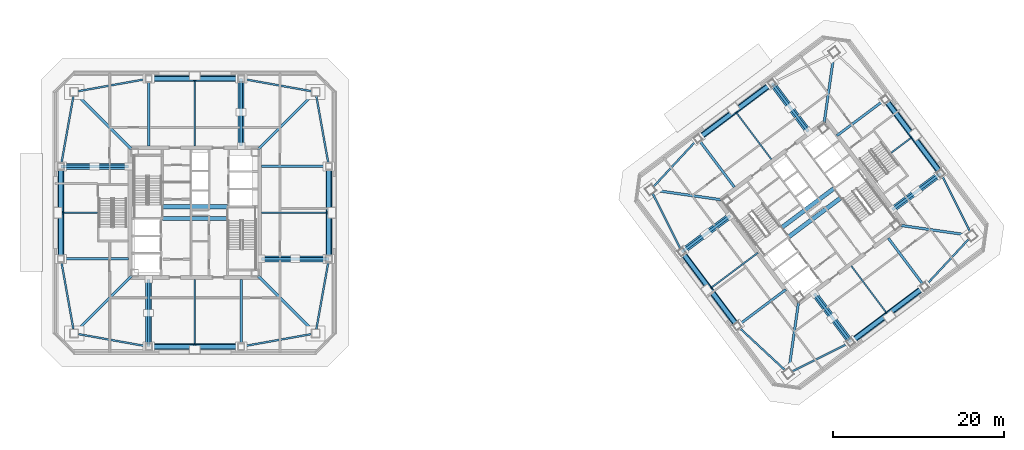
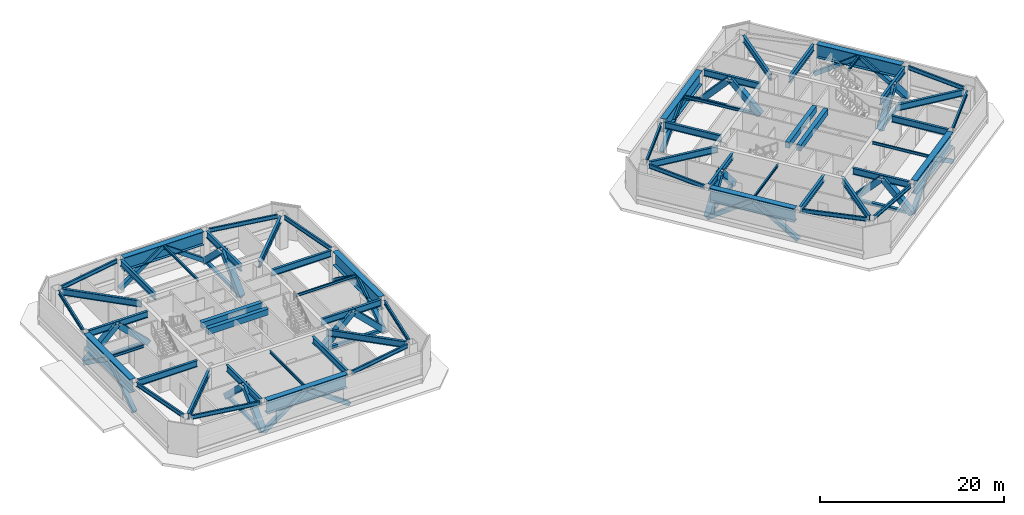
# One storey, part 3 of 15: 58 beams, 40 members.
"""IFC4 building model written with IfcOpenShell, lengths in metres."""

from ifc_helpers import new_model, si_unit, direction, frame, origin, origin_2d, place, context, subcontext, project, spatial, rectangle, hollow_rectangle, i_section, extrude, material, material_profile, profile_set, type_object, element, save


model = new_model("IFC4")

# Units and contexts
model_context = context("Model", 3, precision=1e-05, world=origin(), true_north=direction((0.0, 1.0)))
body_context = subcontext(model_context, "Body", "Model", "MODEL_VIEW")
ifc_project = project(units=[si_unit("LENGTHUNIT", "METRE"), si_unit("AREAUNIT", "SQUARE_METRE"), si_unit("VOLUMEUNIT", "CUBIC_METRE"), si_unit("PLANEANGLEUNIT", "RADIAN"), si_unit("MASSUNIT", "GRAM", prefix="KILO")], contexts=[model_context])

# Site, building, storey
site_placement = place(None, origin())
site = spatial("IfcSite", under=ifc_project, at=site_placement, CompositionType="ELEMENT")
building_placement = place(site_placement, origin())
building = spatial("IfcBuilding", under=site, at=building_placement, Name="Tashvorn Skyway Center", CompositionType="ELEMENT")
storey_placement = place(building_placement, frame((0.0, 0.0, 199.60009765625)))
storey = spatial("IfcBuildingStorey", under=building, at=storey_placement, Name="L54", CompositionType="ELEMENT", Elevation=199.60009765625)

# Beams
ifc_material_1 = material(Name="Steel ASTM A572 Grade 50", Category="steel")
ifc_material_profile_1 = material_profile(ifc_material_1, i_section(OverallWidth=0.699951171875, OverallDepth=1.800048828125, WebThickness=0.031982421875, FlangeThickness=0.050048828125, at=origin_2d()), Name="PG1800x700")
ifc_profile_set_1 = profile_set([ifc_material_profile_1], Name="Steel ASTM A572 Grade 50")
beam_type_1 = type_object("IfcBeamType", Name="BM-BEAM-PG1800x700", PredefinedType="BEAM", material=ifc_profile_set_1)
for number, where, z_axis, x_axis, name in (
    (1, (36.969970703125, 16.35009765625, 3.52001953125), (1.0, 0.0, 0.0), (0.0, 1.0, 0.0), "Tower 1 L54 Spandrel Beam 02"),
    (2, (57.64990234375, 26.969970703125, 3.52001953125), (0.0, 1.0, 0.0), (-1.0, 0.0, 0.0), "Tower 1 L54 Spandrel Beam 05"),
    (3, (47.030029296875, 47.64990234375, 3.52001953125), (-1.0, 0.0, 0.0), (0.0, -1.0, 0.0), "Tower 1 L54 Spandrel Beam 08"),
    (4, (26.35009765625, 37.030029296875, 3.52001953125), (0.0, -1.0, 0.0), (1.0, 0.0, 0.0), "Tower 1 L54 Spandrel Beam 11"),
    (5, (118.885986328125, 17.10205078125, 3.52001953125), (0.800008736549, 0.599988351091, 0.0), (-0.599988351091, 0.800008736549, 0.0), "Tower 2 L54 Spandrel Beam 02"),
    (6, (128.89794921875, 36.885986328125, 3.52001953125), (-0.599988351091, 0.800008736549, 0.0), (-0.800008736549, -0.599988351091, 0.0), "Tower 2 L54 Spandrel Beam 05"),
    (7, (109.114013671875, 46.89794921875, 3.52001953125), (-0.800008736549, -0.599988351091, 0.0), (0.599988351091, -0.800008736549, 0.0), "Tower 2 L54 Spandrel Beam 08"),
    (8, (99.10205078125, 27.114013671875, 3.52001953125), (0.599988351091, -0.800008736549, 0.0), (0.800008736549, 0.599988351091, 0.0), "Tower 2 L54 Spandrel Beam 11"),
):
    element("IfcBeam", number, at=place(storey_placement, frame(where, z_axis=z_axis, x_axis=x_axis)), inside=storey, type_object=beam_type_1, Name=name, PredefinedType="BEAM", context=body_context, shape_type="SweptSolid", body=[
        extrude(i_section(OverallWidth=0.699951171875, OverallDepth=1.800048828125, WebThickness=0.031982421875, FlangeThickness=0.050048828125, at=origin_2d()), origin(), (0.0, 0.0, 1.0), 10.06005859375),
    ])
ifc_material_2 = material(Name="Steel ASTM A992 Grade 50", Category="steel")
ifc_material_profile_2 = material_profile(ifc_material_2, i_section(OverallWidth=0.2919921875, OverallDepth=0.85888671875, WebThickness=0.01708984375, FlangeThickness=0.031005859375, at=origin_2d()), Name="W33X169")
ifc_profile_set_2 = profile_set([ifc_material_profile_2], Name="Steel ASTM A992 Grade 50")
beam_type_2 = type_object("IfcBeamType", Name="BM-BEAM-W33X169", PredefinedType="BEAM", material=ifc_profile_set_2)
for number, where, z_axis, x_axis, name in (
    (9, (28.25, 18.25, 3.990478515625), (0.707106781187, 0.707106781187, 0.0), (-0.707106781187, 0.707106781187, 0.0), "Tower 1 L54 Primary Floor Girder MC-SW"),
    (10, (55.75, 18.25, 3.990478515625), (-0.707106781187, 0.707106781187, 0.0), (-0.707106781187, -0.707106781187, 0.0), "Tower 1 L54 Primary Floor Girder MC-SE"),
    (11, (55.75, 45.75, 3.990478515625), (-0.707106781187, -0.707106781187, 0.0), (0.707106781187, -0.707106781187, 0.0), "Tower 1 L54 Primary Floor Girder MC-NE"),
    (12, (28.25, 45.75, 3.990478515625), (0.707106781187, -0.707106781187, 0.0), (0.707106781187, 0.707106781187, 0.0), "Tower 1 L54 Primary Floor Girder MC-NW"),
):
    element("IfcBeam", number, at=place(storey_placement, frame(where, z_axis=z_axis, x_axis=x_axis)), inside=storey, type_object=beam_type_2, Name=name, PredefinedType="BEAM", context=body_context, shape_type="SweptSolid", body=[
        extrude(i_section(OverallWidth=0.2919921875, OverallDepth=0.85888671875, WebThickness=0.01708984375, FlangeThickness=0.031005859375, at=origin_2d()), origin(), (0.0, 0.0, 1.0), 9.030029296875),
    ])
for number, where, z_axis, x_axis, name in (
    (13, (36.60009765625, 16.719970703125, 3.990478515625), (0.0, 1.0, 0.0), (-1.0, 0.0, 0.0), "Tower 1 L54 Primary Floor Girder FC-S1"),
    (14, (47.39990234375, 16.719970703125, 3.990478515625), (0.0, 1.0, 0.0), (-1.0, 0.0, 0.0), "Tower 1 L54 Primary Floor Girder FC-S2"),
    (15, (57.280029296875, 26.60009765625, 3.990478515625), (-1.0, 0.0, 0.0), (0.0, -1.0, 0.0), "Tower 1 L54 Primary Floor Girder FC-E1"),
    (16, (57.280029296875, 37.39990234375, 3.990478515625), (-1.0, 0.0, 0.0), (0.0, -1.0, 0.0), "Tower 1 L54 Primary Floor Girder FC-E2"),
    (17, (47.39990234375, 47.280029296875, 3.990478515625), (0.0, -1.0, 0.0), (1.0, 0.0, 0.0), "Tower 1 L54 Primary Floor Girder FC-N1"),
    (18, (36.60009765625, 47.280029296875, 3.990478515625), (0.0, -1.0, 0.0), (1.0, 0.0, 0.0), "Tower 1 L54 Primary Floor Girder FC-N2"),
    (19, (26.719970703125, 37.39990234375, 3.990478515625), (1.0, 0.0, 0.0), (0.0, 1.0, 0.0), "Tower 1 L54 Primary Floor Girder FC-W1"),
    (20, (26.719970703125, 26.60009765625, 3.990478515625), (1.0, 0.0, 0.0), (0.0, 1.0, 0.0), "Tower 1 L54 Primary Floor Girder FC-W2"),
):
    element("IfcBeam", number, at=place(storey_placement, frame(where, z_axis=z_axis, x_axis=x_axis)), inside=storey, type_object=beam_type_2, Name=name, PredefinedType="BEAM", context=body_context, shape_type="SweptSolid", body=[
        extrude(i_section(OverallWidth=0.2919921875, OverallDepth=0.85888671875, WebThickness=0.01708984375, FlangeThickness=0.031005859375, at=origin_2d()), origin(), (0.0, 0.0, 1.0), 7.5),
    ])
for number, where, z_axis, x_axis, name in (
    (21, (111.389892578125, 13.72998046875, 3.990478515625), (0.141438360399, 0.989947064346, 0.0), (-0.989947064346, 0.141438360399, 0.0), "Tower 2 L54 Primary Floor Girder MC-SW"),
    (22, (132.27001953125, 29.389892578125, 3.990478515625), (-0.989947064346, 0.141438360399, 0.0), (-0.141438360399, -0.989947064346, 0.0), "Tower 2 L54 Primary Floor Girder MC-SE"),
    (23, (116.610107421875, 50.27001953125, 3.990478515625), (-0.141438360399, -0.989947064346, 0.0), (0.989947064346, -0.141438360399, 0.0), "Tower 2 L54 Primary Floor Girder MC-NE"),
    (24, (95.72998046875, 34.610107421875, 3.990478515625), (0.989947064346, -0.141438360399, 0.0), (0.141438360399, 0.989947064346, 0.0), "Tower 2 L54 Primary Floor Girder MC-NW"),
):
    element("IfcBeam", number, at=place(storey_placement, frame(where, z_axis=z_axis, x_axis=x_axis)), inside=storey, type_object=beam_type_2, Name=name, PredefinedType="BEAM", context=body_context, shape_type="SweptSolid", body=[
        extrude(i_section(OverallWidth=0.2919921875, OverallDepth=0.85888671875, WebThickness=0.01708984375, FlangeThickness=0.031005859375, at=origin_2d()), origin(), (0.0, 0.0, 1.0), 8.040283203125),
    ])
beam_1_placement = place(storey_placement, frame((118.367919921875, 17.176025390625, 3.990478515625), z_axis=(-0.600011660554, 0.799991254452, 0.0), x_axis=(-0.799991254452, -0.600011660554, 0.0)))
element("IfcBeam", 25, at=beam_1_placement, inside=storey, type_object=beam_type_2, Name="Tower 2 L54 Primary Floor Girder FC-S1", PredefinedType="BEAM", context=body_context, shape_type="SweptSolid", body=[
    extrude(i_section(OverallWidth=0.2919921875, OverallDepth=0.85888671875, WebThickness=0.01708984375, FlangeThickness=0.031005859375, at=origin_2d()), origin(), (0.0, 0.0, 1.0), 6.699951171875),
])
beam_2_placement = place(storey_placement, frame((127.008056640625, 23.656005859375, 3.990478515625), z_axis=(-0.599994169845, 0.800004372583, 0.0), x_axis=(-0.800004372583, -0.599994169845, 0.0)))
element("IfcBeam", 26, at=beam_2_placement, inside=storey, type_object=beam_type_2, Name="Tower 2 L54 Primary Floor Girder FC-S2", PredefinedType="BEAM", context=body_context, shape_type="SweptSolid", body=[
    extrude(i_section(OverallWidth=0.2919921875, OverallDepth=0.85888671875, WebThickness=0.01708984375, FlangeThickness=0.031005859375, at=origin_2d()), origin(), (0.0, 0.0, 1.0), 6.7001953125),
])
beam_3_placement = place(storey_placement, frame((128.823974609375, 36.367919921875, 3.990478515625), z_axis=(-0.799991254452, -0.600011660554, 0.0), x_axis=(0.600011660554, -0.799991254452, 0.0)))
element("IfcBeam", 27, at=beam_3_placement, inside=storey, type_object=beam_type_2, Name="Tower 2 L54 Primary Floor Girder FC-E1", PredefinedType="BEAM", context=body_context, shape_type="SweptSolid", body=[
    extrude(i_section(OverallWidth=0.2919921875, OverallDepth=0.85888671875, WebThickness=0.01708984375, FlangeThickness=0.031005859375, at=origin_2d()), origin(), (0.0, 0.0, 1.0), 6.699951171875),
])
beam_4_placement = place(storey_placement, frame((122.343994140625, 45.008056640625, 3.990478515625), z_axis=(-0.800004372583, -0.599994169845, 0.0), x_axis=(0.599994169845, -0.800004372583, 0.0)))
element("IfcBeam", 28, at=beam_4_placement, inside=storey, type_object=beam_type_2, Name="Tower 2 L54 Primary Floor Girder FC-E2", PredefinedType="BEAM", context=body_context, shape_type="SweptSolid", body=[
    extrude(i_section(OverallWidth=0.2919921875, OverallDepth=0.85888671875, WebThickness=0.01708984375, FlangeThickness=0.031005859375, at=origin_2d()), origin(), (0.0, 0.0, 1.0), 6.7001953125),
])
beam_5_placement = place(storey_placement, frame((109.632080078125, 46.823974609375, 3.990478515625), z_axis=(0.600011660554, -0.799991254452, 0.0), x_axis=(0.799991254452, 0.600011660554, 0.0)))
element("IfcBeam", 29, at=beam_5_placement, inside=storey, type_object=beam_type_2, Name="Tower 2 L54 Primary Floor Girder FC-N1", PredefinedType="BEAM", context=body_context, shape_type="SweptSolid", body=[
    extrude(i_section(OverallWidth=0.2919921875, OverallDepth=0.85888671875, WebThickness=0.01708984375, FlangeThickness=0.031005859375, at=origin_2d()), origin(), (0.0, 0.0, 1.0), 6.699951171875),
])
beam_6_placement = place(storey_placement, frame((100.991943359375, 40.343994140625, 3.990478515625), z_axis=(0.599994169845, -0.800004372583, 0.0), x_axis=(0.800004372583, 0.599994169845, 0.0)))
element("IfcBeam", 30, at=beam_6_placement, inside=storey, type_object=beam_type_2, Name="Tower 2 L54 Primary Floor Girder FC-N2", PredefinedType="BEAM", context=body_context, shape_type="SweptSolid", body=[
    extrude(i_section(OverallWidth=0.2919921875, OverallDepth=0.85888671875, WebThickness=0.01708984375, FlangeThickness=0.031005859375, at=origin_2d()), origin(), (0.0, 0.0, 1.0), 6.7001953125),
])
beam_7_placement = place(storey_placement, frame((99.176025390625, 27.632080078125, 3.990478515625), z_axis=(0.799991254452, 0.600011660554, 0.0), x_axis=(-0.600011660554, 0.799991254452, 0.0)))
element("IfcBeam", 31, at=beam_7_placement, inside=storey, type_object=beam_type_2, Name="Tower 2 L54 Primary Floor Girder FC-W1", PredefinedType="BEAM", context=body_context, shape_type="SweptSolid", body=[
    extrude(i_section(OverallWidth=0.2919921875, OverallDepth=0.85888671875, WebThickness=0.01708984375, FlangeThickness=0.031005859375, at=origin_2d()), origin(), (0.0, 0.0, 1.0), 6.699951171875),
])
beam_8_placement = place(storey_placement, frame((105.656005859375, 18.991943359375, 3.990478515625), z_axis=(0.800004372583, 0.599994169845, 0.0), x_axis=(-0.599994169845, 0.800004372583, 0.0)))
element("IfcBeam", 32, at=beam_8_placement, inside=storey, type_object=beam_type_2, Name="Tower 2 L54 Primary Floor Girder FC-W2", PredefinedType="BEAM", context=body_context, shape_type="SweptSolid", body=[
    extrude(i_section(OverallWidth=0.2919921875, OverallDepth=0.85888671875, WebThickness=0.01708984375, FlangeThickness=0.031005859375, at=origin_2d()), origin(), (0.0, 0.0, 1.0), 6.7001953125),
])
ifc_material_profile_3 = material_profile(ifc_material_2, i_section(OverallWidth=0.1708984375, OverallDepth=0.35498046875, WebThickness=0.007080078125, FlangeThickness=0.01171875, at=origin_2d()), Name="W14X34")
ifc_profile_set_3 = profile_set([ifc_material_profile_3], Name="Steel ASTM A992 Grade 50")
beam_type_3 = type_object("IfcBeamType", Name="BM-JOIST-W14X34", PredefinedType="JOIST", material=ifc_profile_set_3)
for number, where, z_axis, x_axis, name in (
    (33, (42.0, 24.2099609375, 4.242431640625), (0.0, -1.0, 0.0), (1.0, 0.0, 0.0), "Tower 1 L54 Secondary Composite Joist JS"),
    (34, (42.0, 39.7900390625, 4.242431640625), (0.0, 1.0, 0.0), (-1.0, 0.0, 0.0), "Tower 1 L54 Secondary Composite Joist JN"),
    (35, (49.7900390625, 32.0, 4.242431640625), (1.0, 0.0, 0.0), (0.0, 1.0, 0.0), "Tower 1 L54 Secondary Composite Joist JE"),
):
    element("IfcBeam", number, at=place(storey_placement, frame(where, z_axis=z_axis, x_axis=x_axis)), inside=storey, type_object=beam_type_3, Name=name, PredefinedType="JOIST", context=body_context, shape_type="SweptSolid", body=[
        extrude(i_section(OverallWidth=0.1708984375, OverallDepth=0.35498046875, WebThickness=0.007080078125, FlangeThickness=0.01171875, at=origin_2d()), origin(), (0.0, 0.0, 1.0), 7.51806640625),
    ])
beam_9_placement = place(storey_placement, frame((30.610107421875, 32.0, 4.242431640625), z_axis=(-1.0, 0.0, 0.0), x_axis=(0.0, -1.0, 0.0)))
element("IfcBeam", 36, at=beam_9_placement, inside=storey, type_object=beam_type_3, Name="Tower 1 L54 Secondary Composite Joist JW", PredefinedType="JOIST", context=body_context, shape_type="SweptSolid", body=[
    extrude(i_section(OverallWidth=0.1708984375, OverallDepth=0.35498046875, WebThickness=0.007080078125, FlangeThickness=0.01171875, at=origin_2d()), origin(), (0.0, 0.0, 1.0), 3.918212890625),
])
for number, where, z_axis, x_axis, name in (
    (37, (118.674072265625, 25.76806640625, 4.242431640625), (0.599988370846, -0.800008721733, 0.0), (0.800008721733, 0.599988370846, 0.0), "Tower 2 L54 Secondary Composite Joist JS"),
    (38, (109.325927734375, 38.23193359375, 4.242431640625), (-0.599988370846, 0.800008721733, 0.0), (-0.800008721733, -0.599988370846, 0.0), "Tower 2 L54 Secondary Composite Joist JN"),
):
    element("IfcBeam", number, at=place(storey_placement, frame(where, z_axis=z_axis, x_axis=x_axis)), inside=storey, type_object=beam_type_3, Name=name, PredefinedType="JOIST", context=body_context, shape_type="SweptSolid", body=[
        extrude(i_section(OverallWidth=0.1708984375, OverallDepth=0.35498046875, WebThickness=0.007080078125, FlangeThickness=0.01171875, at=origin_2d()), origin(), (0.0, 0.0, 1.0), 6.718017578125),
    ])
beam_10_placement = place(storey_placement, frame((123.3359375, 39.001953125, 4.242431640625), z_axis=(0.8, 0.6, 0.0), x_axis=(-0.6, 0.8, 0.0)))
element("IfcBeam", 39, at=beam_10_placement, inside=storey, type_object=beam_type_3, Name="Tower 2 L54 Secondary Composite Joist JE", PredefinedType="JOIST", context=body_context, shape_type="SweptSolid", body=[
    extrude(i_section(OverallWidth=0.1708984375, OverallDepth=0.35498046875, WebThickness=0.007080078125, FlangeThickness=0.01171875, at=origin_2d()), origin(), (0.0, 0.0, 1.0), 2.838134765625),
])
beam_11_placement = place(storey_placement, frame((107.76806640625, 27.325927734375, 4.242431640625), z_axis=(-0.800008721733, -0.599988370846, 0.0), x_axis=(0.599988370846, -0.800008721733, 0.0)))
element("IfcBeam", 40, at=beam_11_placement, inside=storey, type_object=beam_type_3, Name="Tower 2 L54 Secondary Composite Joist JW", PredefinedType="JOIST", context=body_context, shape_type="SweptSolid", body=[
    extrude(i_section(OverallWidth=0.1708984375, OverallDepth=0.35498046875, WebThickness=0.007080078125, FlangeThickness=0.01171875, at=origin_2d()), origin(), (0.0, 0.0, 1.0), 6.718017578125),
])
ifc_material_3 = material(Name="Concrete C50/60", Category="concrete")
ifc_material_profile_4 = material_profile(ifc_material_3, rectangle(XDim=0.5, YDim=0.800048828125, at=origin_2d()), Name="RCB500x800")
ifc_profile_set_4 = profile_set([ifc_material_profile_4], Name="Concrete C50/60")
beam_type_4 = type_object("IfcBeamType", Name="BM-LINTEL-RCB500x800", PredefinedType="LINTEL", material=ifc_profile_set_4)
for number, where, z_axis, x_axis, name in (
    (41, (38.199951171875, 32.679931640625, 4.02001953125), (1.0, 0.0, 0.0), (0.0, 1.0, 0.0), "Tower 1 L54 Core Coupling Beam CN"),
    (42, (38.199951171875, 31.320068359375, 4.02001953125), (1.0, 0.0, 0.0), (0.0, 1.0, 0.0), "Tower 1 L54 Core Coupling Beam CS"),
    (43, (110.552001953125, 30.263916015625, 4.02001953125), (0.8, 0.6, 0.0), (-0.6, 0.8, 0.0), "Tower 2 L54 Core Coupling Beam CN"),
    (44, (111.367919921875, 29.176025390625, 4.02001953125), (0.8, 0.6, 0.0), (-0.6, 0.8, 0.0), "Tower 2 L54 Core Coupling Beam CS"),
):
    element("IfcBeam", number, at=place(storey_placement, frame(where, z_axis=z_axis, x_axis=x_axis)), inside=storey, type_object=beam_type_4, Name=name, PredefinedType="LINTEL", context=body_context, shape_type="SweptSolid", body=[
        extrude(rectangle(XDim=0.5, YDim=0.800048828125, at=origin_2d()), origin(), (0.0, 0.0, 1.0), 7.60009765625),
    ])
ifc_material_profile_5 = material_profile(ifc_material_2, i_section(OverallWidth=0.2109375, OverallDepth=0.5390625, WebThickness=0.01171875, FlangeThickness=0.018798828125, at=origin_2d()), Name="W21X73")
ifc_profile_set_5 = profile_set([ifc_material_profile_5], Name="Steel ASTM A992 Grade 50")
beam_type_5 = type_object("IfcBeamType", Name="BM-SPANDREL-W21X73", PredefinedType="SPANDREL", material=ifc_profile_set_5)
for number, where, z_axis, x_axis, name in (
    (45, (28.38720703125, 17.813232421875, 4.150390625), (0.984494883191, -0.17541329759, 0.0), (0.17541329759, 0.984494883191, 0.0), "Tower 1 L54 Spandrel Beam 01"),
    (46, (47.76416015625, 16.414794921875, 4.150390625), (0.984494883191, 0.17541329759, 0.0), (-0.17541329759, 0.984494883191, 0.0), "Tower 1 L54 Spandrel Beam 03"),
    (47, (56.186767578125, 18.38720703125, 4.150390625), (0.17541329759, 0.984494883191, 0.0), (-0.984494883191, 0.17541329759, 0.0), "Tower 1 L54 Spandrel Beam 04"),
    (48, (57.585205078125, 37.76416015625, 4.150390625), (-0.17541329759, 0.984494883191, 0.0), (-0.984494883191, -0.17541329759, 0.0), "Tower 1 L54 Spandrel Beam 06"),
    (49, (55.61279296875, 46.186767578125, 4.150390625), (-0.984494883191, 0.17541329759, 0.0), (-0.17541329759, -0.984494883191, 0.0), "Tower 1 L54 Spandrel Beam 07"),
    (50, (36.23583984375, 47.585205078125, 4.150390625), (-0.984494883191, -0.17541329759, 0.0), (0.17541329759, -0.984494883191, 0.0), "Tower 1 L54 Spandrel Beam 09"),
    (51, (27.813232421875, 45.61279296875, 4.150390625), (-0.17541329759, -0.984494883191, 0.0), (0.984494883191, -0.17541329759, 0.0), "Tower 1 L54 Spandrel Beam 10"),
    (52, (26.414794921875, 26.23583984375, 4.150390625), (0.17541329759, -0.984494883191, 0.0), (0.984494883191, 0.17541329759, 0.0), "Tower 1 L54 Spandrel Beam 12"),
):
    element("IfcBeam", number, at=place(storey_placement, frame(where, z_axis=z_axis, x_axis=x_axis)), inside=storey, type_object=beam_type_5, Name=name, PredefinedType="SPANDREL", context=body_context, shape_type="SweptSolid", body=[
        extrude(i_section(OverallWidth=0.2109375, OverallDepth=0.5390625, WebThickness=0.01171875, FlangeThickness=0.018798828125, at=origin_2d()), origin(), (0.0, 0.0, 1.0), 7.97216796875),
    ])
for number, where, z_axis, x_axis, name in (
    (53, (111.7626953125, 13.461669921875, 4.150390625), (0.894178380472, 0.447710870872, 0.0), (-0.447710870872, 0.894178380472, 0.0), "Tower 2 L54 Spandrel Beam 01"),
    (54, (127.481689453125, 23.63134765625, 4.150390625), (0.680182956622, 0.733042389989, 0.0), (-0.733042389989, 0.680182956622, 0.0), "Tower 2 L54 Spandrel Beam 03"),
    (55, (132.538330078125, 29.7626953125, 4.150390625), (-0.447710870872, 0.894178380472, 0.0), (-0.894178380472, -0.447710870872, 0.0), "Tower 2 L54 Spandrel Beam 04"),
    (56, (100.518310546875, 40.36865234375, 4.150390625), (-0.680182956622, -0.733042389989, 0.0), (0.733042389989, -0.680182956622, 0.0), "Tower 2 L54 Spandrel Beam 09"),
    (57, (95.461669921875, 34.2373046875, 4.150390625), (0.447710870872, -0.894178380472, 0.0), (0.894178380472, 0.447710870872, 0.0), "Tower 2 L54 Spandrel Beam 10"),
    (58, (105.63134765625, 18.518310546875, 4.150390625), (0.733042389989, -0.680182956622, 0.0), (0.680182956622, 0.733042389989, 0.0), "Tower 2 L54 Spandrel Beam 12"),
):
    element("IfcBeam", number, at=place(storey_placement, frame(where, z_axis=z_axis, x_axis=x_axis)), inside=storey, type_object=beam_type_5, Name=name, PredefinedType="SPANDREL", context=body_context, shape_type="SweptSolid", body=[
        extrude(i_section(OverallWidth=0.2109375, OverallDepth=0.5390625, WebThickness=0.01171875, FlangeThickness=0.018798828125, at=origin_2d()), origin(), (0.0, 0.0, 1.0), 7.26513671875),
    ])

# Members
ifc_material_profile_6 = material_profile(ifc_material_1, hollow_rectangle(XDim=0.5, YDim=0.5, WallThickness=0.02001953125, at=origin_2d()), Name="HSS500x500x20")
ifc_profile_set_6 = profile_set([ifc_material_profile_6], Name="Steel ASTM A572 Grade 50")
member_type_1 = type_object("IfcMemberType", Name="MEM-BT-500", PredefinedType="BRACE", material=ifc_profile_set_6)
for number, where, z_axis, x_axis, name in (
    (59, (36.60009765625, 16.35009765625, 0.25), (0.816388475218, 0.0, 0.577503123395), (0.0, 1.0, 0.0), "Tower 1 L54 Perimeter Belt Truss BS-1"),
    (60, (42.0, 16.35009765625, 4.06982421875), (0.816388475218, 0.0, -0.577503123395), (0.0, 1.0, 0.0), "Tower 1 L54 Perimeter Belt Truss BS-2"),
    (61, (36.60009765625, 47.64990234375, 0.25), (0.816388475218, 0.0, 0.577503123395), (0.0, 1.0, 0.0), "Tower 1 L54 Perimeter Belt Truss BN-1"),
    (62, (42.0, 47.64990234375, 4.06982421875), (0.816388475218, 0.0, -0.577503123395), (0.0, 1.0, 0.0), "Tower 1 L54 Perimeter Belt Truss BN-2"),
    (63, (57.64990234375, 26.60009765625, 0.25), (0.0, 0.816388475218, 0.577503123395), (-1.0, 0.0, 0.0), "Tower 1 L54 Perimeter Belt Truss BE-1"),
    (64, (57.64990234375, 32.0, 4.06982421875), (0.0, 0.816388475218, -0.577503123395), (-1.0, 0.0, 0.0), "Tower 1 L54 Perimeter Belt Truss BE-2"),
    (65, (26.35009765625, 26.60009765625, 0.25), (0.0, 0.816388475218, 0.577503123395), (-1.0, 0.0, 0.0), "Tower 1 L54 Perimeter Belt Truss BW-1"),
    (66, (26.35009765625, 32.0, 4.06982421875), (0.0, 0.816388475218, -0.577503123395), (-1.0, 0.0, 0.0), "Tower 1 L54 Perimeter Belt Truss BW-2"),
):
    element("IfcMember", number, at=place(storey_placement, frame(where, z_axis=z_axis, x_axis=x_axis)), inside=storey, type_object=member_type_1, Name=name, PredefinedType="BRACE", context=body_context, shape_type="SweptSolid", body=[
        extrude(hollow_rectangle(XDim=0.5, YDim=0.5, WallThickness=0.02001953125, at=origin_2d()), origin(), (0.0, 0.0, 1.0), 6.6142578125),
    ])
for number, where, z_axis, x_axis, name in (
    (67, (118.590087890625, 16.8798828125, 0.25), (0.653088143371, 0.489871472749, 0.577496162043), (-0.600043401895, 0.799967446739, 0.0), "Tower 2 L54 Perimeter Belt Truss BS-1"),
    (68, (122.909912109375, 20.1201171875, 4.06982421875), (0.653121118009, 0.489831611026, -0.577492682248), (-0.599992766245, 0.800005425265, 0.0), "Tower 2 L54 Perimeter Belt Truss BS-2"),
    (69, (100.77001953125, 40.639892578125, 0.25), (0.653121118009, 0.489831611026, 0.577492682248), (-0.599992766245, 0.800005425265, 0.0), "Tower 2 L54 Perimeter Belt Truss BN-1"),
    (70, (105.090087890625, 43.8798828125, 4.06982421875), (0.653088143371, 0.489871472749, -0.577496162043), (-0.600043401895, 0.799967446739, 0.0), "Tower 2 L54 Perimeter Belt Truss BN-2"),
    (71, (129.1201171875, 36.590087890625, 0.25), (-0.489871472749, 0.653088143371, 0.577496162043), (-0.799967446739, -0.600043401895, 0.0), "Tower 2 L54 Perimeter Belt Truss BE-1"),
    (72, (125.8798828125, 40.909912109375, 4.06982421875), (-0.489831611026, 0.653121118009, -0.577492682248), (-0.800005425265, -0.599992766245, 0.0), "Tower 2 L54 Perimeter Belt Truss BE-2"),
    (73, (105.360107421875, 18.77001953125, 0.25), (-0.489831611026, 0.653121118009, 0.577492682248), (-0.800005425265, -0.599992766245, 0.0), "Tower 2 L54 Perimeter Belt Truss BW-1"),
    (74, (102.1201171875, 23.090087890625, 4.06982421875), (-0.489871472749, 0.653088143371, -0.577496162043), (-0.799967446739, -0.600043401895, 0.0), "Tower 2 L54 Perimeter Belt Truss BW-2"),
):
    element("IfcMember", number, at=place(storey_placement, frame(where, z_axis=z_axis, x_axis=x_axis)), inside=storey, type_object=member_type_1, Name=name, PredefinedType="BRACE", context=body_context, shape_type="SweptSolid", body=[
        extrude(hollow_rectangle(XDim=0.5, YDim=0.5, WallThickness=0.02001953125, at=origin_2d()), origin(), (0.0, 0.0, 1.0), 6.614501953125),
    ])
ifc_material_profile_7 = material_profile(ifc_material_1, hollow_rectangle(XDim=0.35009765625, YDim=0.35009765625, WallThickness=0.01611328125, at=origin_2d()), Name="HSS350x350x16")
ifc_profile_set_7 = profile_set([ifc_material_profile_7], Name="Steel ASTM A572 Grade 50")
member_type_2 = type_object("IfcMemberType", Name="MEM-BT-CHD-350", PredefinedType="CHORD", material=ifc_profile_set_7)
for number, where, z_axis, x_axis, name in (
    (75, (47.39990234375, 39.780029296875, 0.25), (0.0, 1.0, 0.0), (-1.0, 0.0, 0.0), "Tower 1 L54 Outrigger Bottom Chord N1"),
    (76, (36.60009765625, 24.219970703125, 0.25), (0.0, -1.0, 0.0), (1.0, 0.0, 0.0), "Tower 1 L54 Outrigger Bottom Chord S1"),
    (77, (49.780029296875, 26.60009765625, 0.25), (1.0, 0.0, 0.0), (0.0, 1.0, 0.0), "Tower 1 L54 Outrigger Bottom Chord E1"),
    (78, (34.219970703125, 37.39990234375, 0.25), (-1.0, 0.0, 0.0), (0.0, -1.0, 0.0), "Tower 1 L54 Outrigger Bottom Chord W1"),
):
    element("IfcMember", number, at=place(storey_placement, frame(where, z_axis=z_axis, x_axis=x_axis)), inside=storey, type_object=member_type_2, Name=name, PredefinedType="CHORD", context=body_context, shape_type="SweptSolid", body=[
        extrude(hollow_rectangle(XDim=0.35009765625, YDim=0.35009765625, WallThickness=0.01611328125, at=origin_2d()), origin(), (0.0, 0.0, 1.0), 7.869873046875),
    ])
for number, where, z_axis, x_axis, name in (
    (79, (113.652099609375, 41.464111328125, 0.25), (-0.600016574915, 0.799987568546, 0.0), (-0.799987568546, -0.600016574915, 0.0), "Tower 2 L54 Outrigger Bottom Chord N1"),
    (80, (114.347900390625, 22.535888671875, 0.25), (0.600016574915, -0.799987568546, 0.0), (0.799987568546, 0.600016574915, 0.0), "Tower 2 L54 Outrigger Bottom Chord S1"),
    (81, (123.464111328125, 32.347900390625, 0.25), (0.799987568546, 0.600016574915, 0.0), (-0.600016574915, 0.799987568546, 0.0), "Tower 2 L54 Outrigger Bottom Chord E1"),
    (82, (104.535888671875, 31.652099609375, 0.25), (-0.799987568546, -0.600016574915, 0.0), (0.600016574915, -0.799987568546, 0.0), "Tower 2 L54 Outrigger Bottom Chord W1"),
):
    element("IfcMember", number, at=place(storey_placement, frame(where, z_axis=z_axis, x_axis=x_axis)), inside=storey, type_object=member_type_2, Name=name, PredefinedType="CHORD", context=body_context, shape_type="SweptSolid", body=[
        extrude(hollow_rectangle(XDim=0.35009765625, YDim=0.35009765625, WallThickness=0.01611328125, at=origin_2d()), origin(), (0.0, 0.0, 1.0), 7.070068359375),
    ])
ifc_material_profile_8 = material_profile(ifc_material_1, hollow_rectangle(XDim=0.699951171875, YDim=0.699951171875, WallThickness=0.028076171875, at=origin_2d()), Name="BOX700x700x28")
ifc_profile_set_8 = profile_set([ifc_material_profile_8], Name="Steel ASTM A572 Grade 50")
member_type_3 = type_object("IfcMemberType", Name="MEM-OB-700", PredefinedType="BRACE", material=ifc_profile_set_8)
member_1_placement = place(storey_placement, frame((47.39990234375, 39.780029296875, 0.25), z_axis=(0.0, 0.717534883535, 0.696522570281), x_axis=(-1.0, 0.0, 0.0)))
element("IfcMember", 83, at=member_1_placement, inside=storey, type_object=member_type_3, Name="Tower 1 L54 Outrigger Truss Diagonal N1-1", PredefinedType="BRACE", context=body_context, shape_type="SweptSolid", body=[
    extrude(hollow_rectangle(XDim=0.699951171875, YDim=0.699951171875, WallThickness=0.028076171875, at=origin_2d()), origin(), (0.0, 0.0, 1.0), 5.484130859375),
])
member_2_placement = place(storey_placement, frame((47.39990234375, 43.715087890625, 4.06982421875), z_axis=(0.0, 0.717513285061, -0.696544819635), x_axis=(-1.0, 0.0, 0.0)))
element("IfcMember", 84, at=member_2_placement, inside=storey, type_object=member_type_3, Name="Tower 1 L54 Outrigger Truss Diagonal N1-2", PredefinedType="BRACE", context=body_context, shape_type="SweptSolid", body=[
    extrude(hollow_rectangle(XDim=0.699951171875, YDim=0.699951171875, WallThickness=0.028076171875, at=origin_2d()), origin(), (0.0, 0.0, 1.0), 5.48388671875),
])
member_3_placement = place(storey_placement, frame((36.60009765625, 24.219970703125, 0.25), z_axis=(0.0, -0.717534883535, 0.696522570281), x_axis=(1.0, 0.0, 0.0)))
element("IfcMember", 85, at=member_3_placement, inside=storey, type_object=member_type_3, Name="Tower 1 L54 Outrigger Truss Diagonal S1-1", PredefinedType="BRACE", context=body_context, shape_type="SweptSolid", body=[
    extrude(hollow_rectangle(XDim=0.699951171875, YDim=0.699951171875, WallThickness=0.028076171875, at=origin_2d()), origin(), (0.0, 0.0, 1.0), 5.484130859375),
])
member_4_placement = place(storey_placement, frame((36.60009765625, 20.284912109375, 4.06982421875), z_axis=(0.0, -0.717513285061, -0.696544819635), x_axis=(1.0, 0.0, 0.0)))
element("IfcMember", 86, at=member_4_placement, inside=storey, type_object=member_type_3, Name="Tower 1 L54 Outrigger Truss Diagonal S1-2", PredefinedType="BRACE", context=body_context, shape_type="SweptSolid", body=[
    extrude(hollow_rectangle(XDim=0.699951171875, YDim=0.699951171875, WallThickness=0.028076171875, at=origin_2d()), origin(), (0.0, 0.0, 1.0), 5.48388671875),
])
member_5_placement = place(storey_placement, frame((49.780029296875, 26.60009765625, 0.25), z_axis=(0.717534883535, 0.0, 0.696522570281), x_axis=(0.0, 1.0, 0.0)))
element("IfcMember", 87, at=member_5_placement, inside=storey, type_object=member_type_3, Name="Tower 1 L54 Outrigger Truss Diagonal E1-1", PredefinedType="BRACE", context=body_context, shape_type="SweptSolid", body=[
    extrude(hollow_rectangle(XDim=0.699951171875, YDim=0.699951171875, WallThickness=0.028076171875, at=origin_2d()), origin(), (0.0, 0.0, 1.0), 5.484130859375),
])
member_6_placement = place(storey_placement, frame((53.715087890625, 26.60009765625, 4.06982421875), z_axis=(0.717513285061, 0.0, -0.696544819635), x_axis=(0.0, 1.0, 0.0)))
element("IfcMember", 88, at=member_6_placement, inside=storey, type_object=member_type_3, Name="Tower 1 L54 Outrigger Truss Diagonal E1-2", PredefinedType="BRACE", context=body_context, shape_type="SweptSolid", body=[
    extrude(hollow_rectangle(XDim=0.699951171875, YDim=0.699951171875, WallThickness=0.028076171875, at=origin_2d()), origin(), (0.0, 0.0, 1.0), 5.48388671875),
])
member_7_placement = place(storey_placement, frame((34.219970703125, 37.39990234375, 0.25), z_axis=(-0.717534883535, 0.0, 0.696522570281), x_axis=(0.0, -1.0, 0.0)))
element("IfcMember", 89, at=member_7_placement, inside=storey, type_object=member_type_3, Name="Tower 1 L54 Outrigger Truss Diagonal W1-1", PredefinedType="BRACE", context=body_context, shape_type="SweptSolid", body=[
    extrude(hollow_rectangle(XDim=0.699951171875, YDim=0.699951171875, WallThickness=0.028076171875, at=origin_2d()), origin(), (0.0, 0.0, 1.0), 5.484130859375),
])
member_8_placement = place(storey_placement, frame((30.284912109375, 37.39990234375, 4.06982421875), z_axis=(-0.717513285061, 0.0, -0.696544819635), x_axis=(0.0, -1.0, 0.0)))
element("IfcMember", 90, at=member_8_placement, inside=storey, type_object=member_type_3, Name="Tower 1 L54 Outrigger Truss Diagonal W1-2", PredefinedType="BRACE", context=body_context, shape_type="SweptSolid", body=[
    extrude(hollow_rectangle(XDim=0.699951171875, YDim=0.699951171875, WallThickness=0.028076171875, at=origin_2d()), origin(), (0.0, 0.0, 1.0), 5.48388671875),
])
for number, where, z_axis, x_axis, name in (
    (91, (113.652099609375, 41.464111328125, 0.25), (-0.407548560025, 0.543351170669, 0.733943919216), (-0.799975136061, -0.600033150488, 0.0), "Tower 2 L54 Outrigger Truss Diagonal N1-1"),
    (92, (111.531005859375, 44.2919921875, 4.06982421875), (-0.407538172271, 0.543384229694, -0.733925212172), (-0.8, -0.6, 0.0), "Tower 2 L54 Outrigger Truss Diagonal N1-2"),
    (93, (114.347900390625, 22.535888671875, 0.25), (0.407548560025, -0.543351170669, 0.733943919216), (0.799975136061, 0.600033150488, 0.0), "Tower 2 L54 Outrigger Truss Diagonal S1-1"),
    (94, (116.468994140625, 19.7080078125, 4.06982421875), (0.407538172271, -0.543384229694, -0.733925212172), (0.8, 0.6, 0.0), "Tower 2 L54 Outrigger Truss Diagonal S1-2"),
    (95, (123.464111328125, 32.347900390625, 0.25), (0.543351170669, 0.407548560025, 0.733943919216), (-0.600033150488, 0.799975136061, 0.0), "Tower 2 L54 Outrigger Truss Diagonal E1-1"),
    (96, (126.2919921875, 34.468994140625, 4.06982421875), (0.543384229694, 0.407538172271, -0.733925212172), (-0.6, 0.8, 0.0), "Tower 2 L54 Outrigger Truss Diagonal E1-2"),
    (97, (104.535888671875, 31.652099609375, 0.25), (-0.543351170669, -0.407548560025, 0.733943919216), (0.600033150488, -0.799975136061, 0.0), "Tower 2 L54 Outrigger Truss Diagonal W1-1"),
    (98, (101.7080078125, 29.531005859375, 4.06982421875), (-0.543384229694, -0.407538172271, -0.733925212172), (0.6, -0.8, 0.0), "Tower 2 L54 Outrigger Truss Diagonal W1-2"),
):
    element("IfcMember", number, at=place(storey_placement, frame(where, z_axis=z_axis, x_axis=x_axis)), inside=storey, type_object=member_type_3, Name=name, PredefinedType="BRACE", context=body_context, shape_type="SweptSolid", body=[
        extrude(hollow_rectangle(XDim=0.699951171875, YDim=0.699951171875, WallThickness=0.028076171875, at=origin_2d()), origin(), (0.0, 0.0, 1.0), 5.20458984375),
    ])

save(model, "model.ifc")
